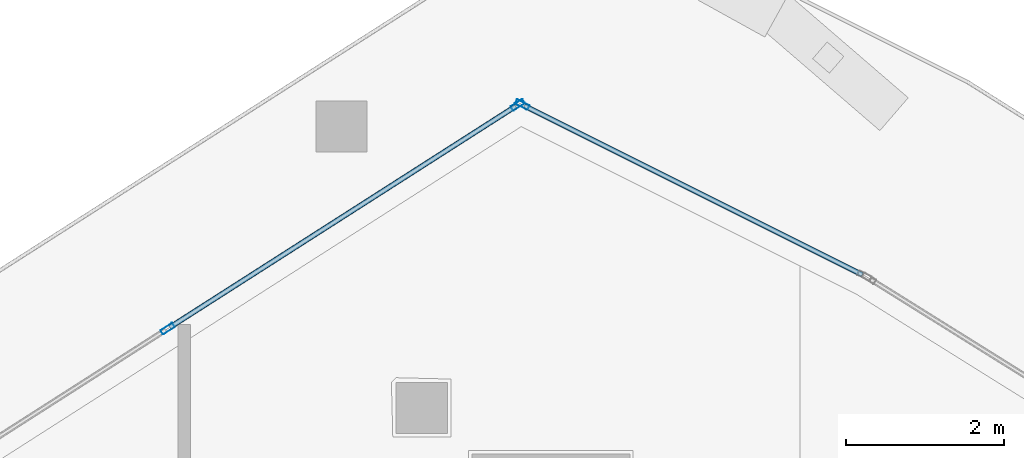
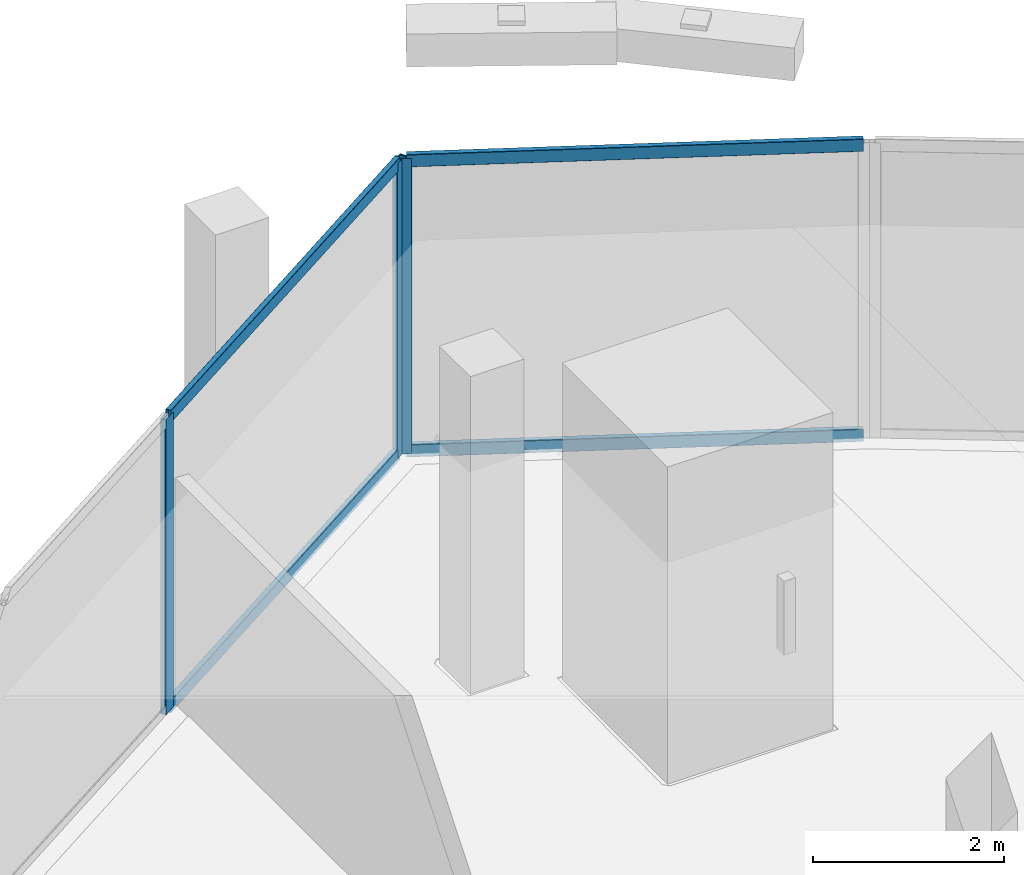
# One storey, part 22 of 42: 7 members, 2 elements without a shape of their own.
"""IFC4 building model written with IfcOpenShell, lengths in metres."""

from ifc_helpers import new_model, si_unit, direction, frame, origin, origin_2d, place, context, subcontext, project, spatial, hollow_rectangle, extrude, material, layer, layer_set, material_profile, profile_set, type_object, element, aggregate, save


model = new_model("IFC4")

# Units and contexts
model_context = context("Model", 3, precision=1e-05, world=origin(), true_north=direction((0.0, 1.0)))
body_context = subcontext(model_context, "Body", "Model", "MODEL_VIEW")
ifc_project = project(units=[si_unit("LENGTHUNIT", "METRE"), si_unit("AREAUNIT", "SQUARE_METRE"), si_unit("VOLUMEUNIT", "CUBIC_METRE"), si_unit("PLANEANGLEUNIT", "RADIAN"), si_unit("MASSUNIT", "GRAM", prefix="KILO")], contexts=[model_context])

# Site, building, storey
site_placement = place(None, origin())
site = spatial("IfcSite", under=ifc_project, at=site_placement, CompositionType="ELEMENT")
building_placement = place(site_placement, origin())
building = spatial("IfcBuilding", under=site, at=building_placement, Name="Qorvath Tower", CompositionType="ELEMENT")
storey_placement = place(building_placement, frame((0.0, 0.0, 117.89990234375)))
storey = spatial("IfcBuildingStorey", under=building, at=storey_placement, Name="L26", CompositionType="ELEMENT", Elevation=117.89990234375)

# Curtain wall, member
ifc_material_1 = material(Name="Anodised aluminium and triple low-E glass", Category="aluminium")
ifc_layer = layer(ifc_material_1, 0.179931640625)
ifc_layer_set = layer_set([ifc_layer], Name="CW-SYS-2")
curtain_wall_type = type_object("IfcCurtainWallType", Name="CW-SYS-2", PredefinedType="NOTDEFINED", material=ifc_layer_set)
curtain_wall_1_placement = place(storey_placement, origin())
curtain_wall_1 = element("IfcCurtainWall", 1, at=curtain_wall_1_placement, inside=storey, type_object=curtain_wall_type, Name="Curtain Wall CW-2 CW-T-L26-15.1", PredefinedType="NOTDEFINED")
ifc_material_2 = material(Name="Anodised aluminium 6063-T6", Category="aluminium")
ifc_material_profile_1 = material_profile(ifc_material_2, hollow_rectangle(XDim=0.06494140625, YDim=0.179931640625, WallThickness=0.00341796875, InnerFilletRadius=0.00341796875, OuterFilletRadius=0.007080078125, at=origin_2d()), Name="CWM 180x65")
ifc_profile_set_1 = profile_set([ifc_material_profile_1], Name="Anodised aluminium 6063-T6")
member_type_1 = type_object("IfcMemberType", Name="CWM-180", PredefinedType="MULLION", material=ifc_profile_set_1)
member_1_placement = place(storey_placement, frame((-15.707763671875, 30.775146484375, 0.0), z_axis=(0.0, 0.0, 1.0), x_axis=(-0.447262398188, -0.894402787992, 0.0)))
member_1 = element("IfcMember", 2, at=member_1_placement, type_object=member_type_1, Name="CW-2 mullion 2", PredefinedType="MULLION", context=body_context, shape_type="SweptSolid", body=[
    extrude(hollow_rectangle(XDim=0.06494140625, YDim=0.179931640625, WallThickness=0.00341796875, InnerFilletRadius=0.00341796875, OuterFilletRadius=0.007080078125, at=origin_2d()), origin(), (0.0, 0.0, 1.0), 3.77001953125),
])

# Curtain wall, members
curtain_wall_2_placement = place(storey_placement, origin())
curtain_wall_2 = element("IfcCurtainWall", 3, at=curtain_wall_2_placement, inside=storey, type_object=curtain_wall_type, Name="Curtain Wall CW-2 CW-T-L26-16.1", PredefinedType="NOTDEFINED")
member_2_placement = place(storey_placement, frame((-15.76416015625, 30.772216796875, 0.0), z_axis=(0.0, 0.0, 1.0), x_axis=(0.538548392681, -0.842594581481, 0.0)))
member_2 = element("IfcMember", 4, at=member_2_placement, type_object=member_type_1, Name="CW-2 mullion 1", PredefinedType="MULLION", context=body_context, shape_type="SweptSolid", body=[
    extrude(hollow_rectangle(XDim=0.06494140625, YDim=0.179931640625, WallThickness=0.00341796875, InnerFilletRadius=0.00341796875, OuterFilletRadius=0.007080078125, at=origin_2d()), origin(), (0.0, 0.0, 1.0), 3.77001953125),
])
member_3_placement = place(storey_placement, frame((-20.2021484375, 27.935546875, 0.0), z_axis=(0.0, 0.0, 1.0), x_axis=(0.538548392681, -0.842594581481, 0.0)))
member_3 = element("IfcMember", 5, at=member_3_placement, type_object=member_type_1, Name="CW-2 mullion 2", PredefinedType="MULLION", context=body_context, shape_type="SweptSolid", body=[
    extrude(hollow_rectangle(XDim=0.06494140625, YDim=0.179931640625, WallThickness=0.00341796875, InnerFilletRadius=0.00341796875, OuterFilletRadius=0.007080078125, at=origin_2d()), origin(), (0.0, 0.0, 1.0), 3.77001953125),
])

# Member
ifc_material_3 = material(Name="Anodised aluminium 6063-T6", Category="aluminium")
ifc_material_profile_2 = material_profile(ifc_material_3, hollow_rectangle(XDim=0.06494140625, YDim=0.159912109375, WallThickness=0.00341796875, InnerFilletRadius=0.00341796875, OuterFilletRadius=0.007080078125, at=origin_2d()), Name="CWT 160x65")
ifc_profile_set_2 = profile_set([ifc_material_profile_2], Name="Anodised aluminium 6063-T6")
member_type_2 = type_object("IfcMemberType", Name="CWT-160", PredefinedType="USERDEFINED", material=ifc_profile_set_2)
member_4_placement = place(storey_placement, frame((-11.396484375, 28.619140625, 0.032470703125), z_axis=(-0.894406793107, 0.447254388959, 0.0), x_axis=(-0.447254388959, -0.894406793107, 0.0)))
member_4 = element("IfcMember", 6, at=member_4_placement, type_object=member_type_2, Name="CW-2 transom 1.1", ObjectType="TRANSOM", PredefinedType="USERDEFINED", context=body_context, shape_type="SweptSolid", body=[
    extrude(hollow_rectangle(XDim=0.06494140625, YDim=0.159912109375, WallThickness=0.00341796875, InnerFilletRadius=0.00341796875, OuterFilletRadius=0.007080078125, at=origin_2d()), origin(), (0.0, 0.0, 1.0), 4.787841796875),
])

member_5_placement = place(storey_placement, frame((-11.396484375, 28.619140625, 3.737548828125), z_axis=(-0.894406793107, 0.447254388959, 0.0), x_axis=(-0.447254388959, -0.894406793107, 0.0)))
member_5 = element("IfcMember", 7, at=member_5_placement, type_object=member_type_2, Name="CW-2 transom 1.2", ObjectType="TRANSOM", PredefinedType="USERDEFINED", context=body_context, shape_type="SweptSolid", body=[
    extrude(hollow_rectangle(XDim=0.06494140625, YDim=0.159912109375, WallThickness=0.00341796875, InnerFilletRadius=0.00341796875, OuterFilletRadius=0.007080078125, at=origin_2d()), origin(), (0.0, 0.0, 1.0), 4.787841796875),
])

aggregate(curtain_wall_1, [member_1, member_4, member_5])

member_6_placement = place(storey_placement, frame((-15.79150390625, 30.754638671875, 0.032470703125), z_axis=(-0.842602796166, -0.538535540047, 0.0), x_axis=(0.538535540047, -0.842602796166, 0.0)))
member_6 = element("IfcMember", 8, at=member_6_placement, type_object=member_type_2, Name="CW-2 transom 1.1", ObjectType="TRANSOM", PredefinedType="USERDEFINED", context=body_context, shape_type="SweptSolid", body=[
    extrude(hollow_rectangle(XDim=0.06494140625, YDim=0.159912109375, WallThickness=0.00341796875, InnerFilletRadius=0.00341796875, OuterFilletRadius=0.007080078125, at=origin_2d()), origin(), (0.0, 0.0, 1.0), 5.2021484375),
])

member_7_placement = place(storey_placement, frame((-15.79150390625, 30.754638671875, 3.737548828125), z_axis=(-0.842602796166, -0.538535540047, 0.0), x_axis=(0.538535540047, -0.842602796166, 0.0)))
member_7 = element("IfcMember", 9, at=member_7_placement, type_object=member_type_2, Name="CW-2 transom 1.2", ObjectType="TRANSOM", PredefinedType="USERDEFINED", context=body_context, shape_type="SweptSolid", body=[
    extrude(hollow_rectangle(XDim=0.06494140625, YDim=0.159912109375, WallThickness=0.00341796875, InnerFilletRadius=0.00341796875, OuterFilletRadius=0.007080078125, at=origin_2d()), origin(), (0.0, 0.0, 1.0), 5.2021484375),
])

aggregate(curtain_wall_2, [member_2, member_3, member_6, member_7])

save(model, "model.ifc")
